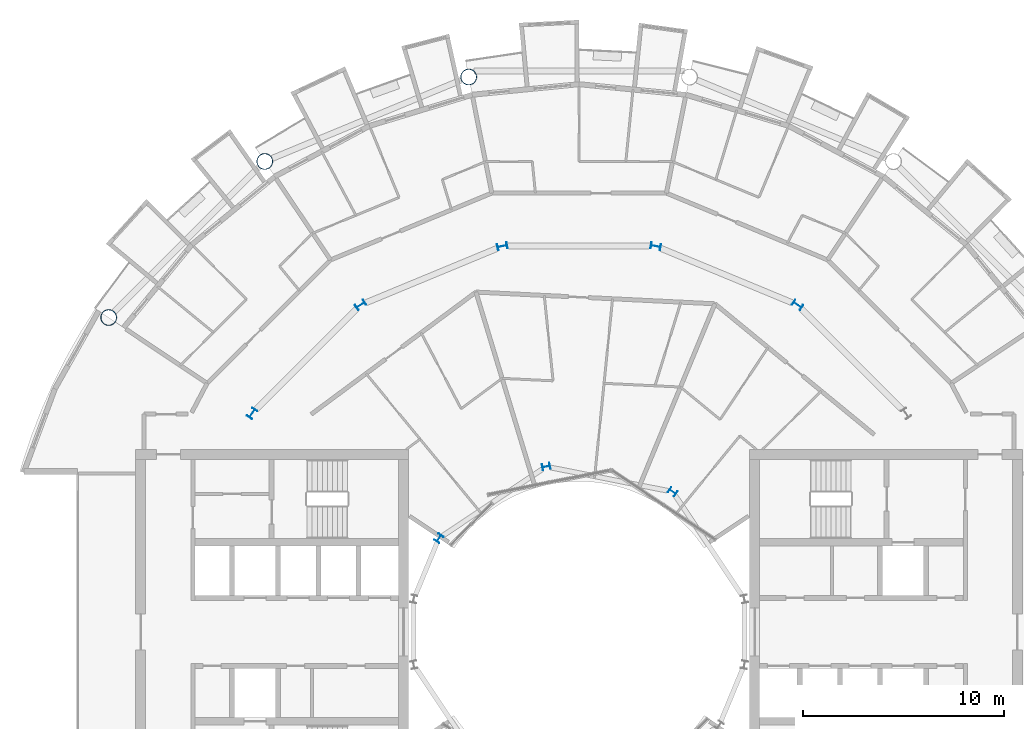
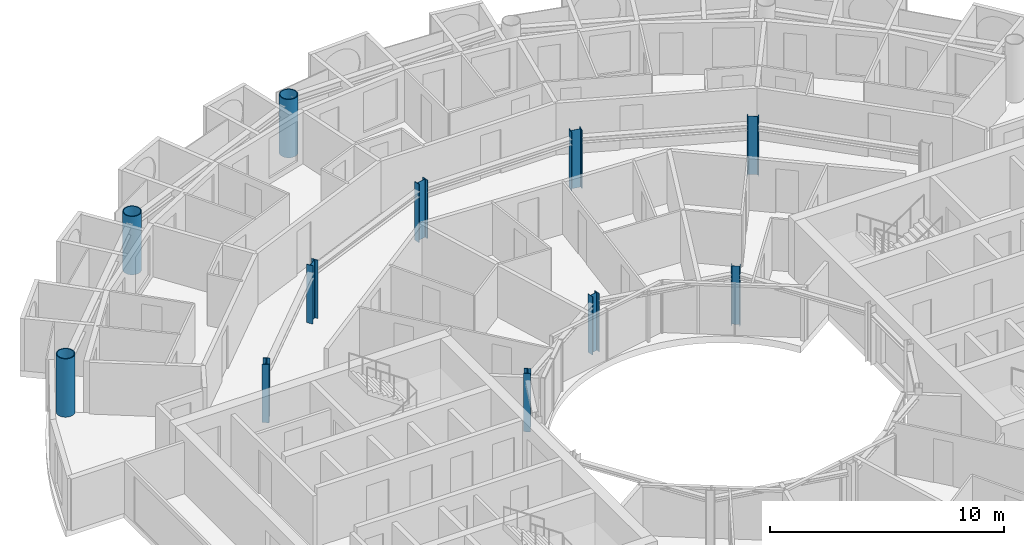
# One storey, part 3 of 27: 11 columns.
"""IFC4 building model written with IfcOpenShell, lengths in metres."""

from ifc_helpers import new_model, si_unit, direction, frame, origin, origin_2d, place, context, subcontext, project, spatial, hollow_circle, i_section, extrude, material, material_profile, profile_set, type_object, element, save


model = new_model("IFC4")

# Units and contexts
model_context = context("Model", 3, precision=1e-05, world=origin(), true_north=direction((0.0, 1.0)))
body_context = subcontext(model_context, "Body", "Model", "MODEL_VIEW")
ifc_project = project(units=[si_unit("LENGTHUNIT", "METRE"), si_unit("AREAUNIT", "SQUARE_METRE"), si_unit("VOLUMEUNIT", "CUBIC_METRE"), si_unit("PLANEANGLEUNIT", "RADIAN"), si_unit("MASSUNIT", "GRAM", prefix="KILO")], contexts=[model_context])

# Site, building, storey
site_placement = place(None, origin())
site = spatial("IfcSite", under=ifc_project, at=site_placement, CompositionType="ELEMENT")
building_placement = place(site_placement, origin())
building = spatial("IfcBuilding", under=site, at=building_placement, Name="Maasbend Ring Residences", CompositionType="ELEMENT")
storey_placement = place(building_placement, frame((0.0, 0.0, 167.699951171875)))
storey = spatial("IfcBuildingStorey", under=building, at=storey_placement, Name="L48", CompositionType="ELEMENT", Elevation=167.699951171875)

# Columns
ifc_material_1 = material(Name="Composite concrete-filled steel tube S460NH / C80/95", Category="concrete")
ifc_material_profile_1 = material_profile(ifc_material_1, hollow_circle(Radius=0.406494140625, WallThickness=0.0400390625, at=origin_2d()), Name="Composite tube column CHS 813x40")
ifc_profile_set_1 = profile_set([ifc_material_profile_1], Name="Composite concrete-filled steel tube S460NH / C80/95")
column_type_1 = type_object("IfcColumnType", Name="Composite tube column CHS 813x40", PredefinedType="COLUMN", material=ifc_profile_set_1)
for number, where, z_axis, x_axis, name in (
    (1, (-5.50146484375, 27.658203125, 0.0), (0.0, 0.0, 1.0), (1.0, 0.0, 0.0), "Outer column R5"),
    (2, (-15.6669921875, 23.447509765625, 0.0), (0.0, 0.0, 1.0), (1.0, 0.0, 0.0), "Outer column R6"),
    (3, (-23.447509765625, 15.6669921875, 0.0), (0.0, 0.0, 1.0), (1.0, 0.0, 0.0), "Outer column R7"),
):
    element("IfcColumn", number, at=place(storey_placement, frame(where, z_axis=z_axis, x_axis=x_axis)), inside=storey, type_object=column_type_1, Name=name, PredefinedType="COLUMN", context=body_context, shape_type="SweptSolid", body=[
        extrude(hollow_circle(Radius=0.406494140625, WallThickness=0.0400390625, at=origin_2d()), origin(), (0.0, 0.0, 1.0), 3.050048828125),
    ])
ifc_material_2 = material(Name="Steel S355J2", Category="steel")
ifc_material_profile_2 = material_profile(ifc_material_2, i_section(OverallWidth=0.300048828125, OverallDepth=0.389892578125, WebThickness=0.010986328125, FlangeThickness=0.01904296875, FilletRadius=0.027099609375, at=origin_2d()), Name="HEA 400")
ifc_profile_set_2 = profile_set([ifc_material_profile_2], Name="Steel S355J2")
column_type_2 = type_object("IfcColumnType", Name="Steel column HEA 400", PredefinedType="COLUMN", material=ifc_profile_set_2)
for number, where, z_axis, x_axis, name in (
    (4, (4.666748046875, 6.984375, 0.0), (0.0, 0.0, 1.0), (0.55557023302, 0.831469612303, 0.0), "Well ring column R3"),
    (5, (-1.638916015625, 8.238525390625, 0.0), (0.0, 0.0, 1.0), (-0.195090322016, 0.980785280403, 0.0), "Well ring column R5"),
    (6, (-6.984375, 4.666748046875, 0.0), (0.0, 0.0, 1.0), (-0.831469612303, 0.55557023302, 0.0), "Well ring column R7"),
):
    element("IfcColumn", number, at=place(storey_placement, frame(where, z_axis=z_axis, x_axis=x_axis)), inside=storey, type_object=column_type_2, Name=name, PredefinedType="COLUMN", context=body_context, shape_type="SweptSolid", body=[
        extrude(i_section(OverallWidth=0.300048828125, OverallDepth=0.389892578125, WebThickness=0.010986328125, FlangeThickness=0.01904296875, FilletRadius=0.027099609375, at=origin_2d()), origin(), (0.0, 0.0, 1.0), 3.050048828125),
    ])
ifc_material_3 = material(Name="Steel S355J2", Category="steel")
ifc_material_profile_3 = material_profile(ifc_material_3, i_section(OverallWidth=0.300048828125, OverallDepth=0.5, WebThickness=0.014404296875, FlangeThickness=0.028076171875, FilletRadius=0.027099609375, at=origin_2d()), Name="HEB 500")
ifc_profile_set_3 = profile_set([ifc_material_profile_3], Name="Steel S355J2")
column_type_3 = type_object("IfcColumnType", Name="Steel column HEB 500", PredefinedType="COLUMN", material=ifc_profile_set_3)
for number, where, z_axis, x_axis, name in (
    (7, (10.88916015625, 16.296875, 0.0), (0.0, 0.0, 1.0), (0.55557023302, 0.831469612303, 0.0), "Corridor ring column R3"),
    (8, (3.82373046875, 19.223388671875, 0.0), (0.0, 0.0, 1.0), (0.195090322016, 0.980785280403, 0.0), "Corridor ring column R4"),
    (9, (-3.82373046875, 19.223388671875, 0.0), (0.0, 0.0, 1.0), (-0.195090322016, 0.980785280403, 0.0), "Corridor ring column R5"),
    (10, (-10.88916015625, 16.296875, 0.0), (0.0, 0.0, 1.0), (-0.55557023302, 0.831469612303, 0.0), "Corridor ring column R6"),
    (11, (-16.296875, 10.88916015625, 0.0), (0.0, 0.0, 1.0), (-0.831469612303, 0.55557023302, 0.0), "Corridor ring column R7"),
):
    element("IfcColumn", number, at=place(storey_placement, frame(where, z_axis=z_axis, x_axis=x_axis)), inside=storey, type_object=column_type_3, Name=name, PredefinedType="COLUMN", context=body_context, shape_type="SweptSolid", body=[
        extrude(i_section(OverallWidth=0.300048828125, OverallDepth=0.5, WebThickness=0.014404296875, FlangeThickness=0.028076171875, FilletRadius=0.027099609375, at=origin_2d()), origin(), (0.0, 0.0, 1.0), 3.050048828125),
    ])

save(model, "model.ifc")
